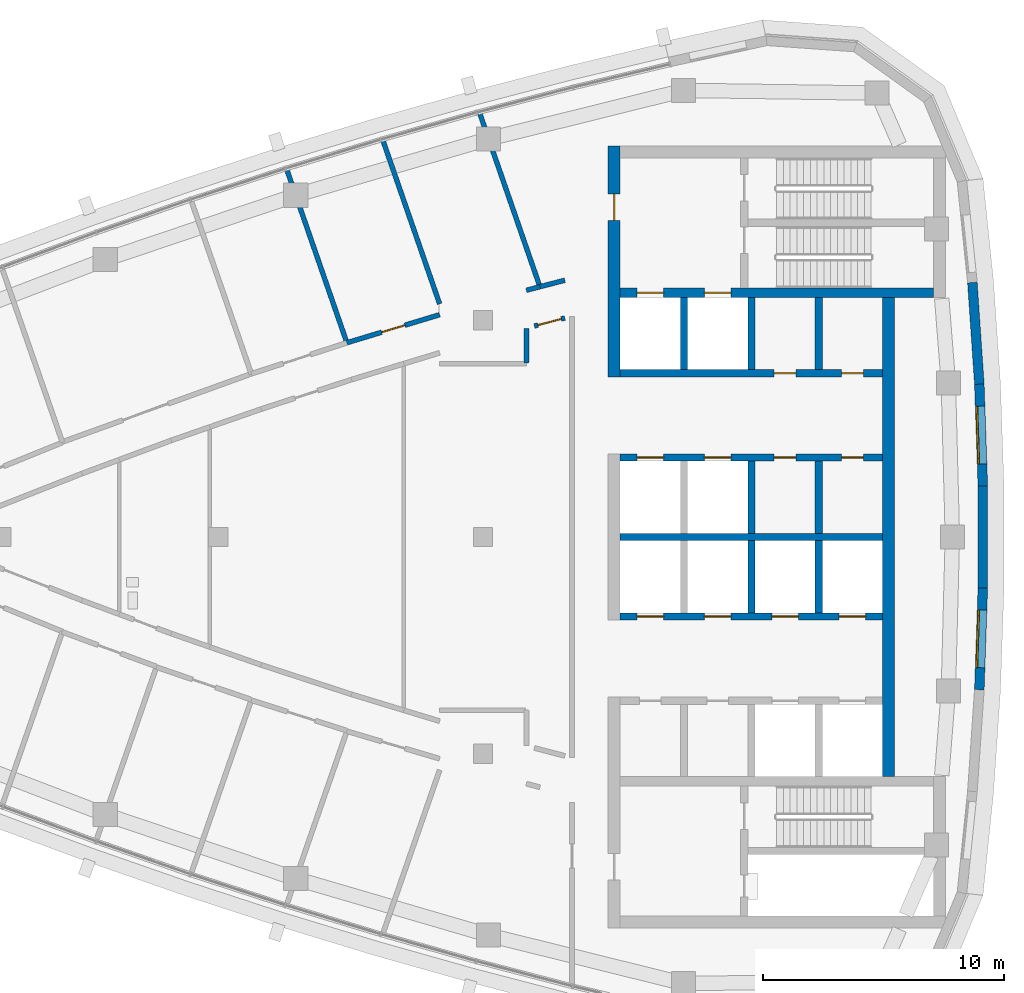
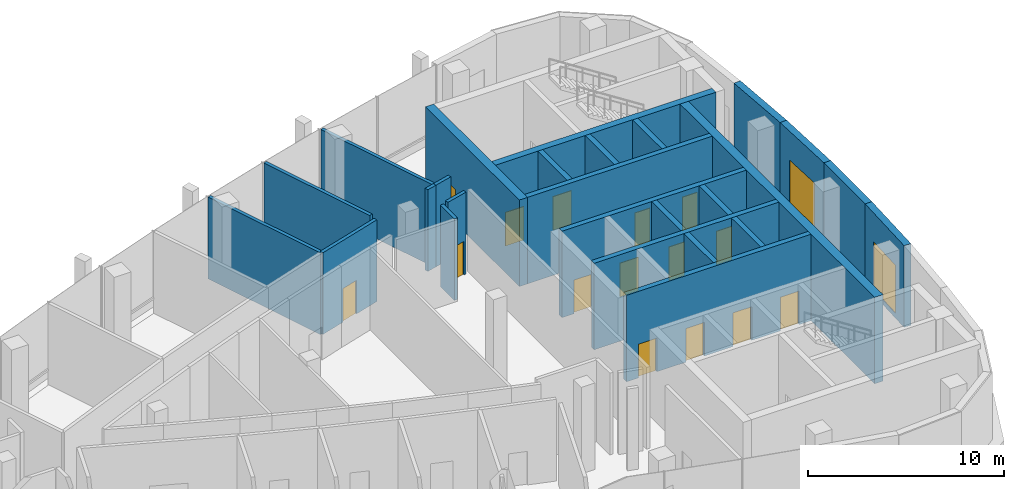
# One storey, part 9 of 15: 26 walls, 15 doors, 2 windows, 17 openings.
"""IFC4 building model written with IfcOpenShell, lengths in metres."""

from ifc_helpers import new_model, si_unit, direction, frame, frame_2d, origin, place, context, subcontext, project, spatial, polyline, rectangle, outline, extrude, material, layer, layer_set, type_object, element, fill, save


model = new_model("IFC4")

# Units and contexts
model_context = context("Model", 3, precision=1e-05, world=origin(), true_north=direction((0.0, 1.0)))
body_context = subcontext(model_context, "Body", "Model", "MODEL_VIEW")
ifc_project = project(units=[si_unit("LENGTHUNIT", "METRE"), si_unit("AREAUNIT", "SQUARE_METRE"), si_unit("VOLUMEUNIT", "CUBIC_METRE"), si_unit("PLANEANGLEUNIT", "RADIAN"), si_unit("MASSUNIT", "GRAM", prefix="KILO")], contexts=[model_context])

# Site, building, storey
site_placement = place(None, origin())
site = spatial("IfcSite", under=ifc_project, at=site_placement, CompositionType="ELEMENT")
building_placement = place(site_placement, origin())
building = spatial("IfcBuilding", under=site, at=building_placement, Name="Ostrand Prow Hotel Tower", CompositionType="ELEMENT")
storey_placement = place(building_placement, frame((0.0, 0.0, 313.199951171875)))
storey = spatial("IfcBuildingStorey", under=building, at=storey_placement, Name="C2", CompositionType="ELEMENT", Elevation=313.199951171875)

# Wall
ifc_material_1 = material(Name="Concrete C40/50", Category="concrete")
ifc_layer_1 = layer(ifc_material_1, 0.300048828125)
ifc_layer_set_1 = layer_set([ifc_layer_1], Name="Concrete C40/50")
wall_type_1 = type_object("IfcWallType", Name="Core wall 300 C40/50", PredefinedType="SHEAR", material=ifc_layer_set_1)
wall_1_placement = place(storey_placement, frame((50.699951171875, 0.0, 0.0), z_axis=(0.0, 0.0, 1.0), x_axis=(1.0, 0.0, 0.0)))
element("IfcWall", 1, at=wall_1_placement, inside=storey, type_object=wall_type_1, Name="Core wall PW-C", PredefinedType="SHEAR", context=body_context, shape_type="SweptSolid", body=[
    extrude(rectangle(XDim=10.900146484375, YDim=0.300048828125, at=frame_2d((5.4501953125, 0.0))), origin(), (0.0, 0.0, 1.0), 5.400146484375),
])

# Wall, openings, doors
wall_2_placement = place(storey_placement, frame((50.699951171875, 3.300048828125, 0.0), z_axis=(0.0, 0.0, 1.0), x_axis=(1.0, 0.0, 0.0)))
wall_2 = element("IfcWall", 2, at=wall_2_placement, inside=storey, type_object=wall_type_1, Name="Core wall PW-L1-N", PredefinedType="SHEAR", context=body_context, shape_type="SweptSolid", body=[
    extrude(rectangle(XDim=10.900146484375, YDim=0.300048828125, at=frame_2d((5.4501953125, 0.0))), origin(), (0.0, 0.0, 1.0), 5.400146484375),
])
opening_1_placement = place(wall_2_placement, frame((0.699951171875, 0.0, 0.0)))
opening_1 = element("IfcOpeningElement", 3, at=opening_1_placement, cuts=wall_2, Name="Opening LD", PredefinedType="OPENING", context=body_context, shape_type="SweptSolid", body=[
    extrude(rectangle(XDim=1.10009765625, YDim=2.10009765625, at=frame_2d((0.550048828125, 1.050048828125))), frame((0.0, 0.159912109375, 0.0), z_axis=(0.0, -1.0, 0.0), x_axis=(1.0, 0.0, 0.0)), (0.0, 0.0, 1.0), 0.320068359375),
])
opening_2_placement = place(wall_2_placement, frame((3.5, 0.0, 0.0)))
opening_2 = element("IfcOpeningElement", 4, at=opening_2_placement, cuts=wall_2, Name="Opening LD", PredefinedType="OPENING", context=body_context, shape_type="SweptSolid", body=[
    extrude(rectangle(XDim=1.10009765625, YDim=2.10009765625, at=frame_2d((0.550048828125, 1.050048828125))), frame((0.0, 0.159912109375, 0.0), z_axis=(0.0, -1.0, 0.0), x_axis=(1.0, 0.0, 0.0)), (0.0, 0.0, 1.0), 0.320068359375),
])
opening_3_placement = place(wall_2_placement, frame((6.39990234375, 0.0, 0.0)))
opening_3 = element("IfcOpeningElement", 5, at=opening_3_placement, cuts=wall_2, Name="Opening FD2", PredefinedType="OPENING", context=body_context, shape_type="SweptSolid", body=[
    extrude(rectangle(XDim=0.89990234375, YDim=2.10009765625, at=frame_2d((0.449951171875, 1.050048828125))), frame((0.0, 0.159912109375, 0.0), z_axis=(0.0, -1.0, 0.0), x_axis=(1.0, 0.0, 0.0)), (0.0, 0.0, 1.0), 0.320068359375),
])
opening_4_placement = place(wall_2_placement, frame((9.199951171875, 0.0, 0.0)))
opening_4 = element("IfcOpeningElement", 6, at=opening_4_placement, cuts=wall_2, Name="Opening FD2", PredefinedType="OPENING", context=body_context, shape_type="SweptSolid", body=[
    extrude(rectangle(XDim=0.89990234375, YDim=2.10009765625, at=frame_2d((0.449951171875, 1.050048828125))), frame((0.0, 0.159912109375, 0.0), z_axis=(0.0, -1.0, 0.0), x_axis=(1.0, 0.0, 0.0)), (0.0, 0.0, 1.0), 0.320068359375),
])
ifc_material_2 = material(Name="Steel fire door", Category="steel")
door_type_1 = type_object("IfcDoorType", Name="Fire door 900 EI120", OperationType="SINGLE_SWING_LEFT", PredefinedType="DOOR", material=ifc_material_2)
door_1_placement = place(opening_3_placement, origin())
door_1 = element("IfcDoor", 7, at=door_1_placement, inside=storey, type_object=door_type_1, Name="DOOR", OperationType="SINGLE_SWING_LEFT", OverallHeight=2.10009765625, OverallWidth=0.89990234375, PredefinedType="DOOR", context=body_context, shape_type="SweptSolid", body=[
    extrude(rectangle(XDim=0.89990234375, YDim=2.10009765625, at=frame_2d((0.449951171875, 1.050048828125))), frame((0.0, 0.02490234375, 0.0), z_axis=(0.0, -1.0, 0.0), x_axis=(1.0, 0.0, 0.0)), (0.0, 0.0, 1.0), 0.050048828125),
])
fill(opening_3, door_1)
door_2_placement = place(opening_4_placement, origin())
door_2 = element("IfcDoor", 8, at=door_2_placement, inside=storey, type_object=door_type_1, Name="DOOR", OperationType="SINGLE_SWING_LEFT", OverallHeight=2.10009765625, OverallWidth=0.89990234375, PredefinedType="DOOR", context=body_context, shape_type="SweptSolid", body=[
    extrude(rectangle(XDim=0.89990234375, YDim=2.10009765625, at=frame_2d((0.449951171875, 1.050048828125))), frame((0.0, 0.02490234375, 0.0), z_axis=(0.0, -1.0, 0.0), x_axis=(1.0, 0.0, 0.0)), (0.0, 0.0, 1.0), 0.050048828125),
])
fill(opening_4, door_2)
ifc_material_3 = material(Name="Stainless steel door", Category="steel")
door_type_2 = type_object("IfcDoorType", Name="Lift landing door 1100", OperationType="DOUBLE_DOOR_SLIDING", PredefinedType="DOOR", material=ifc_material_3)
door_3_placement = place(opening_1_placement, origin())
door_3 = element("IfcDoor", 9, at=door_3_placement, inside=storey, type_object=door_type_2, Name="LIFT LANDING DOOR", OperationType="DOUBLE_DOOR_SLIDING", OverallHeight=2.10009765625, OverallWidth=1.10009765625, PredefinedType="DOOR", context=body_context, shape_type="SweptSolid", body=[
    extrude(rectangle(XDim=1.10009765625, YDim=2.10009765625, at=frame_2d((0.550048828125, 1.050048828125))), frame((0.0, 0.02490234375, 0.0), z_axis=(0.0, -1.0, 0.0), x_axis=(1.0, 0.0, 0.0)), (0.0, 0.0, 1.0), 0.050048828125),
])
fill(opening_1, door_3)
door_4_placement = place(opening_2_placement, origin())
door_4 = element("IfcDoor", 10, at=door_4_placement, inside=storey, type_object=door_type_2, Name="LIFT LANDING DOOR", OperationType="DOUBLE_DOOR_SLIDING", OverallHeight=2.10009765625, OverallWidth=1.10009765625, PredefinedType="DOOR", context=body_context, shape_type="SweptSolid", body=[
    extrude(rectangle(XDim=1.10009765625, YDim=2.10009765625, at=frame_2d((0.550048828125, 1.050048828125))), frame((0.0, 0.02490234375, 0.0), z_axis=(0.0, -1.0, 0.0), x_axis=(1.0, 0.0, 0.0)), (0.0, 0.0, 1.0), 0.050048828125),
])
fill(opening_2, door_4)

wall_3_placement = place(storey_placement, frame((50.699951171875, 6.800048828125, 0.0), z_axis=(0.0, 0.0, 1.0), x_axis=(1.0, 0.0, 0.0)))
wall_3 = element("IfcWall", 11, at=wall_3_placement, inside=storey, type_object=wall_type_1, Name="Core wall PW-L2-N", PredefinedType="SHEAR", context=body_context, shape_type="SweptSolid", body=[
    extrude(rectangle(XDim=10.900146484375, YDim=0.300048828125, at=frame_2d((5.4501953125, 0.0))), origin(), (0.0, 0.0, 1.0), 5.400146484375),
])
opening_5_placement = place(wall_3_placement, frame((6.39990234375, 0.0, 0.0)))
opening_5 = element("IfcOpeningElement", 12, at=opening_5_placement, cuts=wall_3, Name="Opening FD2", PredefinedType="OPENING", context=body_context, shape_type="SweptSolid", body=[
    extrude(rectangle(XDim=0.89990234375, YDim=2.10009765625, at=frame_2d((0.449951171875, 1.050048828125))), frame((0.0, 0.159912109375, 0.0), z_axis=(0.0, -1.0, 0.0), x_axis=(1.0, 0.0, 0.0)), (0.0, 0.0, 1.0), 0.320068359375),
])
opening_6_placement = place(wall_3_placement, frame((9.199951171875, 0.0, 0.0)))
opening_6 = element("IfcOpeningElement", 13, at=opening_6_placement, cuts=wall_3, Name="Opening FD2", PredefinedType="OPENING", context=body_context, shape_type="SweptSolid", body=[
    extrude(rectangle(XDim=0.89990234375, YDim=2.10009765625, at=frame_2d((0.449951171875, 1.050048828125))), frame((0.0, 0.159912109375, 0.0), z_axis=(0.0, -1.0, 0.0), x_axis=(1.0, 0.0, 0.0)), (0.0, 0.0, 1.0), 0.320068359375),
])
door_5_placement = place(opening_5_placement, origin())
door_5 = element("IfcDoor", 14, at=door_5_placement, inside=storey, type_object=door_type_1, Name="DOOR", OperationType="SINGLE_SWING_LEFT", OverallHeight=2.10009765625, OverallWidth=0.89990234375, PredefinedType="DOOR", context=body_context, shape_type="SweptSolid", body=[
    extrude(rectangle(XDim=0.89990234375, YDim=2.10009765625, at=frame_2d((0.449951171875, 1.050048828125))), frame((0.0, 0.02490234375, 0.0), z_axis=(0.0, -1.0, 0.0), x_axis=(1.0, 0.0, 0.0)), (0.0, 0.0, 1.0), 0.050048828125),
])
fill(opening_5, door_5)
door_6_placement = place(opening_6_placement, origin())
door_6 = element("IfcDoor", 15, at=door_6_placement, inside=storey, type_object=door_type_1, Name="DOOR", OperationType="SINGLE_SWING_LEFT", OverallHeight=2.10009765625, OverallWidth=0.89990234375, PredefinedType="DOOR", context=body_context, shape_type="SweptSolid", body=[
    extrude(rectangle(XDim=0.89990234375, YDim=2.10009765625, at=frame_2d((0.449951171875, 1.050048828125))), frame((0.0, 0.02490234375, 0.0), z_axis=(0.0, -1.0, 0.0), x_axis=(1.0, 0.0, 0.0)), (0.0, 0.0, 1.0), 0.050048828125),
])
fill(opening_6, door_6)

# Walls
for number, where, z_axis, x_axis, name in (
    (16, (53.35009765625, 6.949951171875, 0.0), (0.0, 0.0, 1.0), (0.0, 1.0, 0.0), "Core wall PW-R1-NA"),
    (17, (56.14990234375, 0.14990234375, 0.0), (0.0, 0.0, 1.0), (0.0, 1.0, 0.0), "Core wall PW-R2-NB"),
    (18, (56.14990234375, 6.949951171875, 0.0), (0.0, 0.0, 1.0), (0.0, 1.0, 0.0), "Core wall PW-R2-NA"),
    (19, (58.949951171875, 0.14990234375, 0.0), (0.0, 0.0, 1.0), (0.0, 1.0, 0.0), "Core wall PW-R3-NB"),
    (20, (58.949951171875, 6.949951171875, 0.0), (0.0, 0.0, 1.0), (0.0, 1.0, 0.0), "Core wall PW-R3-NA"),
):
    element("IfcWall", number, at=place(storey_placement, frame(where, z_axis=z_axis, x_axis=x_axis)), inside=storey, type_object=wall_type_1, Name=name, PredefinedType="SHEAR", context=body_context, shape_type="SweptSolid", body=[
        extrude(rectangle(XDim=3.0, YDim=0.300048828125, at=frame_2d((1.5, 0.0))), origin(), (0.0, 0.0, 1.0), 5.400146484375),
    ])

# Wall, openings, doors
wall_4_placement = place(storey_placement, frame((50.699951171875, -3.300048828125, 0.0), z_axis=(0.0, 0.0, 1.0), x_axis=(1.0, 0.0, 0.0)))
wall_4 = element("IfcWall", 21, at=wall_4_placement, inside=storey, type_object=wall_type_1, Name="Core wall PW-L1-S", PredefinedType="SHEAR", context=body_context, shape_type="SweptSolid", body=[
    extrude(rectangle(XDim=10.900146484375, YDim=0.300048828125, at=frame_2d((5.4501953125, 0.0))), origin(), (0.0, 0.0, 1.0), 5.400146484375),
])
opening_7_placement = place(wall_4_placement, frame((0.699951171875, 0.0, 0.0)))
opening_7 = element("IfcOpeningElement", 22, at=opening_7_placement, cuts=wall_4, Name="Opening LD", PredefinedType="OPENING", context=body_context, shape_type="SweptSolid", body=[
    extrude(rectangle(XDim=1.10009765625, YDim=2.10009765625, at=frame_2d((0.550048828125, 1.050048828125))), frame((0.0, 0.159912109375, 0.0), z_axis=(0.0, -1.0, 0.0), x_axis=(1.0, 0.0, 0.0)), (0.0, 0.0, 1.0), 0.320068359375),
])
opening_8_placement = place(wall_4_placement, frame((3.5, 0.0, 0.0)))
opening_8 = element("IfcOpeningElement", 23, at=opening_8_placement, cuts=wall_4, Name="Opening LD", PredefinedType="OPENING", context=body_context, shape_type="SweptSolid", body=[
    extrude(rectangle(XDim=1.10009765625, YDim=2.10009765625, at=frame_2d((0.550048828125, 1.050048828125))), frame((0.0, 0.159912109375, 0.0), z_axis=(0.0, -1.0, 0.0), x_axis=(1.0, 0.0, 0.0)), (0.0, 0.0, 1.0), 0.320068359375),
])
opening_9_placement = place(wall_4_placement, frame((6.300048828125, 0.0, 0.0)))
opening_9 = element("IfcOpeningElement", 24, at=opening_9_placement, cuts=wall_4, Name="Opening LD", PredefinedType="OPENING", context=body_context, shape_type="SweptSolid", body=[
    extrude(rectangle(XDim=1.10009765625, YDim=2.10009765625, at=frame_2d((0.550048828125, 1.050048828125))), frame((0.0, 0.159912109375, 0.0), z_axis=(0.0, -1.0, 0.0), x_axis=(1.0, 0.0, 0.0)), (0.0, 0.0, 1.0), 0.320068359375),
])
opening_10_placement = place(wall_4_placement, frame((9.10009765625, 0.0, 0.0)))
opening_10 = element("IfcOpeningElement", 25, at=opening_10_placement, cuts=wall_4, Name="Opening LD", PredefinedType="OPENING", context=body_context, shape_type="SweptSolid", body=[
    extrude(rectangle(XDim=1.10009765625, YDim=2.10009765625, at=frame_2d((0.550048828125, 1.050048828125))), frame((0.0, 0.159912109375, 0.0), z_axis=(0.0, -1.0, 0.0), x_axis=(1.0, 0.0, 0.0)), (0.0, 0.0, 1.0), 0.320068359375),
])
door_7_placement = place(opening_7_placement, origin())
door_7 = element("IfcDoor", 26, at=door_7_placement, inside=storey, type_object=door_type_2, Name="LIFT LANDING DOOR", OperationType="DOUBLE_DOOR_SLIDING", OverallHeight=2.10009765625, OverallWidth=1.10009765625, PredefinedType="DOOR", context=body_context, shape_type="SweptSolid", body=[
    extrude(rectangle(XDim=1.10009765625, YDim=2.10009765625, at=frame_2d((0.550048828125, 1.050048828125))), frame((0.0, 0.02490234375, 0.0), z_axis=(0.0, -1.0, 0.0), x_axis=(1.0, 0.0, 0.0)), (0.0, 0.0, 1.0), 0.050048828125),
])
fill(opening_7, door_7)
door_8_placement = place(opening_8_placement, origin())
door_8 = element("IfcDoor", 27, at=door_8_placement, inside=storey, type_object=door_type_2, Name="LIFT LANDING DOOR", OperationType="DOUBLE_DOOR_SLIDING", OverallHeight=2.10009765625, OverallWidth=1.10009765625, PredefinedType="DOOR", context=body_context, shape_type="SweptSolid", body=[
    extrude(rectangle(XDim=1.10009765625, YDim=2.10009765625, at=frame_2d((0.550048828125, 1.050048828125))), frame((0.0, 0.02490234375, 0.0), z_axis=(0.0, -1.0, 0.0), x_axis=(1.0, 0.0, 0.0)), (0.0, 0.0, 1.0), 0.050048828125),
])
fill(opening_8, door_8)
door_9_placement = place(opening_9_placement, origin())
door_9 = element("IfcDoor", 28, at=door_9_placement, inside=storey, type_object=door_type_2, Name="LIFT LANDING DOOR", OperationType="DOUBLE_DOOR_SLIDING", OverallHeight=2.10009765625, OverallWidth=1.10009765625, PredefinedType="DOOR", context=body_context, shape_type="SweptSolid", body=[
    extrude(rectangle(XDim=1.10009765625, YDim=2.10009765625, at=frame_2d((0.550048828125, 1.050048828125))), frame((0.0, 0.02490234375, 0.0), z_axis=(0.0, -1.0, 0.0), x_axis=(1.0, 0.0, 0.0)), (0.0, 0.0, 1.0), 0.050048828125),
])
fill(opening_9, door_9)
door_10_placement = place(opening_10_placement, origin())
door_10 = element("IfcDoor", 29, at=door_10_placement, inside=storey, type_object=door_type_2, Name="LIFT LANDING DOOR", OperationType="DOUBLE_DOOR_SLIDING", OverallHeight=2.10009765625, OverallWidth=1.10009765625, PredefinedType="DOOR", context=body_context, shape_type="SweptSolid", body=[
    extrude(rectangle(XDim=1.10009765625, YDim=2.10009765625, at=frame_2d((0.550048828125, 1.050048828125))), frame((0.0, 0.02490234375, 0.0), z_axis=(0.0, -1.0, 0.0), x_axis=(1.0, 0.0, 0.0)), (0.0, 0.0, 1.0), 0.050048828125),
])
fill(opening_10, door_10)

# Walls
for number, where, z_axis, x_axis, name in (
    (30, (56.14990234375, -3.14990234375, 0.0), (0.0, 0.0, 1.0), (0.0, 1.0, 0.0), "Core wall PW-R2-SB"),
    (31, (58.949951171875, -3.14990234375, 0.0), (0.0, 0.0, 1.0), (0.0, 1.0, 0.0), "Core wall PW-R3-SB"),
):
    element("IfcWall", number, at=place(storey_placement, frame(where, z_axis=z_axis, x_axis=x_axis)), inside=storey, type_object=wall_type_1, Name=name, PredefinedType="SHEAR", context=body_context, shape_type="SweptSolid", body=[
        extrude(rectangle(XDim=3.0, YDim=0.300048828125, at=frame_2d((1.5, 0.0))), origin(), (0.0, 0.0, 1.0), 5.400146484375),
    ])

# Wall, openings, doors
ifc_material_4 = material(Name="Concrete C40/50", Category="concrete")
ifc_layer_2 = layer(ifc_material_4, 0.39990234375)
ifc_layer_set_2 = layer_set([ifc_layer_2], Name="Concrete C40/50")
wall_type_2 = type_object("IfcWallType", Name="Core wall 400 C40/50", PredefinedType="SHEAR", material=ifc_layer_set_2)
wall_5_placement = place(storey_placement, frame((50.699951171875, 10.14990234375, 0.0), z_axis=(0.0, 0.0, 1.0), x_axis=(1.0, 0.0, 0.0)))
wall_5 = element("IfcWall", 32, at=wall_5_placement, inside=storey, type_object=wall_type_2, Name="Core wall PW-BN", PredefinedType="SHEAR", context=body_context, shape_type="SweptSolid", body=[
    extrude(rectangle(XDim=13.02001953125, YDim=0.39990234375, at=frame_2d((6.510009765625, 0.0))), origin(), (0.0, 0.0, 1.0), 5.400146484375),
])
opening_11_placement = place(wall_5_placement, frame((0.699951171875, 0.0, 0.0)))
opening_11 = element("IfcOpeningElement", 33, at=opening_11_placement, cuts=wall_5, Name="Opening LD", PredefinedType="OPENING", context=body_context, shape_type="SweptSolid", body=[
    extrude(rectangle(XDim=1.10009765625, YDim=2.10009765625, at=frame_2d((0.550048828125, 1.050048828125))), frame((0.0, 0.2099609375, 0.0), z_axis=(0.0, -1.0, 0.0), x_axis=(1.0, 0.0, 0.0)), (0.0, 0.0, 1.0), 0.419921875),
])
opening_12_placement = place(wall_5_placement, frame((3.5, 0.0, 0.0)))
opening_12 = element("IfcOpeningElement", 34, at=opening_12_placement, cuts=wall_5, Name="Opening LD", PredefinedType="OPENING", context=body_context, shape_type="SweptSolid", body=[
    extrude(rectangle(XDim=1.10009765625, YDim=2.10009765625, at=frame_2d((0.550048828125, 1.050048828125))), frame((0.0, 0.2099609375, 0.0), z_axis=(0.0, -1.0, 0.0), x_axis=(1.0, 0.0, 0.0)), (0.0, 0.0, 1.0), 0.419921875),
])
door_11_placement = place(opening_11_placement, origin())
door_11 = element("IfcDoor", 35, at=door_11_placement, inside=storey, type_object=door_type_2, Name="LIFT LANDING DOOR", OperationType="DOUBLE_DOOR_SLIDING", OverallHeight=2.10009765625, OverallWidth=1.10009765625, PredefinedType="DOOR", context=body_context, shape_type="SweptSolid", body=[
    extrude(rectangle(XDim=1.10009765625, YDim=2.10009765625, at=frame_2d((0.550048828125, 1.050048828125))), frame((0.0, 0.02490234375, 0.0), z_axis=(0.0, -1.0, 0.0), x_axis=(1.0, 0.0, 0.0)), (0.0, 0.0, 1.0), 0.050048828125),
])
fill(opening_11, door_11)
door_12_placement = place(opening_12_placement, origin())
door_12 = element("IfcDoor", 36, at=door_12_placement, inside=storey, type_object=door_type_2, Name="LIFT LANDING DOOR", OperationType="DOUBLE_DOOR_SLIDING", OverallHeight=2.10009765625, OverallWidth=1.10009765625, PredefinedType="DOOR", context=body_context, shape_type="SweptSolid", body=[
    extrude(rectangle(XDim=1.10009765625, YDim=2.10009765625, at=frame_2d((0.550048828125, 1.050048828125))), frame((0.0, 0.02490234375, 0.0), z_axis=(0.0, -1.0, 0.0), x_axis=(1.0, 0.0, 0.0)), (0.0, 0.0, 1.0), 0.050048828125),
])
fill(opening_12, door_12)

# Wall, opening, door
ifc_material_5 = material(Name="Concrete C40/50", Category="concrete")
ifc_layer_3 = layer(ifc_material_5, 0.5)
ifc_layer_set_3 = layer_set([ifc_layer_3], Name="Concrete C40/50")
wall_type_3 = type_object("IfcWallType", Name="Core wall 500 C40/50", PredefinedType="SHEAR", material=ifc_layer_set_3)
wall_6_placement = place(storey_placement, frame((50.449951171875, 6.64990234375, 0.0), z_axis=(0.0, 0.0, 1.0), x_axis=(0.0, 1.0, 0.0)))
wall_6 = element("IfcWall", 37, at=wall_6_placement, inside=storey, type_object=wall_type_3, Name="Core wall CW-W-N", PredefinedType="SHEAR", context=body_context, shape_type="SweptSolid", body=[
    extrude(rectangle(XDim=9.60009765625, YDim=0.5, at=frame_2d((4.800048828125, 0.0))), origin(), (0.0, 0.0, 1.0), 5.400146484375),
])
opening_13_placement = place(wall_6_placement, frame((6.5, 0.0, 0.0)))
opening_13 = element("IfcOpeningElement", 38, at=opening_13_placement, cuts=wall_6, Name="Opening FD1", PredefinedType="OPENING", context=body_context, shape_type="SweptSolid", body=[
    extrude(rectangle(XDim=1.10009765625, YDim=2.10009765625, at=frame_2d((0.550048828125, 1.050048828125))), frame((0.0, 0.260009765625, 0.0), z_axis=(0.0, -1.0, 0.0), x_axis=(1.0, 0.0, 0.0)), (0.0, 0.0, 1.0), 0.52001953125),
])
ifc_material_6 = material(Name="Steel fire door", Category="steel")
door_type_3 = type_object("IfcDoorType", Name="Fire door 1100 EI120", OperationType="SINGLE_SWING_RIGHT", PredefinedType="DOOR", material=ifc_material_6)
door_13_placement = place(opening_13_placement, origin())
door_13 = element("IfcDoor", 39, at=door_13_placement, inside=storey, type_object=door_type_3, Name="FIRE DOOR", OperationType="SINGLE_SWING_RIGHT", OverallHeight=2.10009765625, OverallWidth=1.10009765625, PredefinedType="DOOR", context=body_context, shape_type="SweptSolid", body=[
    extrude(rectangle(XDim=1.10009765625, YDim=2.10009765625, at=frame_2d((0.550048828125, 1.050048828125))), frame((0.0, 0.02490234375, 0.0), z_axis=(0.0, -1.0, 0.0), x_axis=(1.0, 0.0, 0.0)), (0.0, 0.0, 1.0), 0.050048828125),
])
fill(opening_13, door_13)

# Wall
wall_7_placement = place(storey_placement, frame((61.85009765625, -9.949951171875, 0.0), z_axis=(0.0, 0.0, 1.0), x_axis=(0.0, 1.0, 0.0)))
element("IfcWall", 40, at=wall_7_placement, inside=storey, type_object=wall_type_3, Name="Core wall CW-E-C", PredefinedType="SHEAR", context=body_context, shape_type="SweptSolid", body=[
    extrude(rectangle(XDim=19.89990234375, YDim=0.5, at=frame_2d((9.949951171875, 0.0))), origin(), (0.0, 0.0, 1.0), 5.400146484375),
])

# Wall, opening, door
ifc_material_7 = material(Name="Plasterboard partition")
ifc_layer_4 = layer(ifc_material_7, 0.199951171875)
ifc_layer_set_4 = layer_set([ifc_layer_4], Name="Plasterboard partition")
wall_type_4 = type_object("IfcWallType", Name="Partition 200 corridor wall", PredefinedType="PARTITIONING", material=ifc_layer_set_4)
wall_8_placement = place(storey_placement, frame((43.199951171875, 9.2333984375, 0.0), z_axis=(0.0, 0.0, 1.0), x_axis=(-0.957187982889, -0.289467036833, 0.0)))
wall_8 = element("IfcWall", 41, at=wall_8_placement, inside=storey, type_object=wall_type_4, Name="CORRIDOR WALL", PredefinedType="PARTITIONING", context=body_context, shape_type="SweptSolid", body=[
    extrude(rectangle(XDim=4.025634765625, YDim=0.199951171875, at=frame_2d((2.0126953125, 0.0))), origin(), (0.0, 0.0, 1.0), 5.10009765625),
])
opening_14_placement = place(wall_8_placement, frame((1.5126953125, 0.0, 0.0)))
opening_14 = element("IfcOpeningElement", 42, at=opening_14_placement, cuts=wall_8, Name="Opening D1", PredefinedType="OPENING", context=body_context, shape_type="SweptSolid", body=[
    extrude(rectangle(XDim=1.0, YDim=2.10009765625, at=frame_2d((0.5, 1.050048828125))), frame((0.0, 0.10986328125, 0.0), z_axis=(0.0, -1.0, 0.0), x_axis=(1.0, 0.0, 0.0)), (0.0, 0.0, 1.0), 0.219970703125),
])
ifc_material_8 = material(Name="Timber door leaf", Category="wood")
door_type_4 = type_object("IfcDoorType", Name="Guest room door 1000", OperationType="SINGLE_SWING_LEFT", PredefinedType="DOOR", material=ifc_material_8)
door_14_placement = place(opening_14_placement, origin())
door_14 = element("IfcDoor", 43, at=door_14_placement, inside=storey, type_object=door_type_4, Name="DOOR", OperationType="SINGLE_SWING_LEFT", OverallHeight=2.10009765625, OverallWidth=1.0, PredefinedType="DOOR", context=body_context, shape_type="SweptSolid", body=[
    extrude(rectangle(XDim=1.0, YDim=2.10009765625, at=frame_2d((0.5, 1.050048828125))), frame((0.0, 0.02490234375, 0.0), z_axis=(0.0, -1.0, 0.0), x_axis=(1.0, 0.0, 0.0)), (0.0, 0.0, 1.0), 0.050048828125),
])
fill(opening_14, door_14)

# Walls
wall_9_placement = place(storey_placement, frame((47.365478515625, 10.3955078125, 0.0), z_axis=(0.0, 0.0, 1.0), x_axis=(-0.967635017449, -0.252353864654, 0.0)))
element("IfcWall", 44, at=wall_9_placement, inside=storey, type_object=wall_type_4, Name="CORRIDOR WALL", PredefinedType="PARTITIONING", context=body_context, shape_type="SweptSolid", body=[
    extrude(rectangle(XDim=0.584228515625, YDim=0.199951171875, at=frame_2d((0.2919921875, 0.0))), origin(), (0.0, 0.0, 1.0), 5.10009765625),
])
wall_10_placement = place(storey_placement, frame((48.39990234375, 10.6650390625, 0.0), z_axis=(0.0, 0.0, 1.0), x_axis=(-0.967689993731, -0.252142967448, 0.0)))
element("IfcWall", 45, at=wall_10_placement, inside=storey, type_object=wall_type_4, Name="CORRIDOR WALL", PredefinedType="PARTITIONING", context=body_context, shape_type="SweptSolid", body=[
    extrude(rectangle(XDim=1.06884765625, YDim=0.199951171875, at=frame_2d((0.534423828125, 0.0))), origin(), (0.0, 0.0, 1.0), 5.10009765625),
])

# Wall, opening, door
wall_11_placement = place(storey_placement, frame((47.13427734375, 8.764404296875, 0.0), z_axis=(0.0, 0.0, 1.0), x_axis=(0.967678694968, 0.252186326563, 0.0)))
wall_11 = element("IfcWall", 46, at=wall_11_placement, inside=storey, type_object=wall_type_4, Name="CORRIDOR WALL", PredefinedType="PARTITIONING", context=body_context, shape_type="SweptSolid", body=[
    extrude(rectangle(XDim=1.307861328125, YDim=0.199951171875, at=frame_2d((0.65380859375, 0.0))), origin(), (0.0, 0.0, 1.0), 5.10009765625),
])
opening_15_placement = place(wall_11_placement, frame((0.154052734375, 0.0, 0.0)))
opening_15 = element("IfcOpeningElement", 47, at=opening_15_placement, cuts=wall_11, Name="Opening D1", PredefinedType="OPENING", context=body_context, shape_type="SweptSolid", body=[
    extrude(rectangle(XDim=1.0, YDim=2.10009765625, at=frame_2d((0.5, 1.050048828125))), frame((0.0, 0.10986328125, 0.0), z_axis=(0.0, -1.0, 0.0), x_axis=(1.0, 0.0, 0.0)), (0.0, 0.0, 1.0), 0.219970703125),
])
door_15_placement = place(opening_15_placement, origin())
door_15 = element("IfcDoor", 48, at=door_15_placement, inside=storey, type_object=door_type_4, Name="DOOR", OperationType="SINGLE_SWING_LEFT", OverallHeight=2.10009765625, OverallWidth=1.0, PredefinedType="DOOR", context=body_context, shape_type="SweptSolid", body=[
    extrude(rectangle(XDim=1.0, YDim=2.10009765625, at=frame_2d((0.5, 1.050048828125))), frame((0.0, 0.02490234375, 0.0), z_axis=(0.0, -1.0, 0.0), x_axis=(1.0, 0.0, 0.0)), (0.0, 0.0, 1.0), 0.050048828125),
])
fill(opening_15, door_15)

# Walls
wall_12_placement = place(storey_placement, frame((46.801513671875, 7.235107421875, 0.0), z_axis=(0.0, 0.0, 1.0), x_axis=(0.00238825658, 0.999997148111, 0.0)))
element("IfcWall", 49, at=wall_12_placement, inside=storey, type_object=wall_type_4, Name="CORRIDOR WALL", PredefinedType="PARTITIONING", context=body_context, shape_type="SweptSolid", body=[
    extrude(rectangle(XDim=1.43115234375, YDim=0.199951171875, at=frame_2d((0.715576171875, 0.0))), origin(), (0.0, 0.0, 1.0), 5.10009765625),
])
ifc_material_9 = material(Name="Plasterboard partition")
ifc_layer_5 = layer(ifc_material_9, 0.199951171875)
ifc_layer_set_5 = layer_set([ifc_layer_5], Name="Plasterboard partition")
wall_type_5 = type_object("IfcWallType", Name="Partition 200 key partition", PredefinedType="PARTITIONING", material=ifc_layer_set_5)
wall_13_placement = place(storey_placement, frame((39.353515625, 8.04931640625, 0.0), z_axis=(0.0, 0.0, 1.0), x_axis=(-0.327741126954, 0.944767565967, 0.0)))
element("IfcWall", 50, at=wall_13_placement, inside=storey, type_object=wall_type_5, Name="KEY PARTITION", PredefinedType="PARTITIONING", context=body_context, shape_type="SweptSolid", body=[
    extrude(rectangle(XDim=7.605712890625, YDim=0.199951171875, at=frame_2d((3.802734375, 0.0))), origin(), (0.0, 0.0, 1.0), 5.10009765625),
])
wall_14_placement = place(storey_placement, frame((43.199951171875, 9.68212890625, 0.0), z_axis=(0.0, 0.0, 1.0), x_axis=(-0.327701896972, 0.944781173987, 0.0)))
element("IfcWall", 51, at=wall_14_placement, inside=storey, type_object=wall_type_5, Name="KEY PARTITION", PredefinedType="PARTITIONING", context=body_context, shape_type="SweptSolid", body=[
    extrude(rectangle(XDim=7.16015625, YDim=0.199951171875, at=frame_2d((3.580078125, 0.0))), origin(), (0.0, 0.0, 1.0), 5.10009765625),
])
wall_15_placement = place(storey_placement, frame((47.372314453125, 10.37646484375, 0.0), z_axis=(0.0, 0.0, 1.0), x_axis=(-0.327733034973, 0.944770373047, 0.0)))
element("IfcWall", 52, at=wall_15_placement, inside=storey, type_object=wall_type_5, Name="KEY PARTITION", PredefinedType="PARTITIONING", context=body_context, shape_type="SweptSolid", body=[
    extrude(rectangle(XDim=7.623779296875, YDim=0.199951171875, at=frame_2d((3.81201171875, 0.0))), origin(), (0.0, 0.0, 1.0), 5.10009765625),
])

# Wall, opening, window
ifc_material_10 = material(Name="Precast concrete C40/50", Category="concrete")
ifc_layer_6 = layer(ifc_material_10, 0.39990234375)
ifc_layer_set_6 = layer_set([ifc_layer_6], Name="Precast concrete C40/50")
wall_type_6 = type_object("IfcWallType", Name="Stone-faced precast wall 400 mm", PredefinedType="NOTDEFINED", material=ifc_layer_set_6)
wall_16_placement = place(storey_placement, frame((65.6201171875, -6.34765625, 0.0), z_axis=(0.0, 0.0, 1.0), x_axis=(0.034082898699, 0.999419009233, 0.0)))
wall_16 = element("IfcWall", 53, at=wall_16_placement, inside=storey, type_object=wall_type_6, Name="Stone-faced wall back 7", PredefinedType="NOTDEFINED", context=body_context, shape_type="SweptSolid", body=[
    extrude(outline(polyline([(-0.00341796875, -0.199951171875), (4.23681640625, -0.199951171875), (4.22998046875, 0.199951171875), (0.00341796875, 0.199951171875), (-0.00341796875, -0.199951171875)])), origin(), (0.0, 0.0, 1.0), 5.10009765625),
])
opening_16_placement = place(wall_16_placement, frame((0.916748046875, 0.0, 0.300048828125)))
opening_16 = element("IfcOpeningElement", 54, at=opening_16_placement, cuts=wall_16, Name="Opening WR1", PredefinedType="OPENING", context=body_context, shape_type="SweptSolid", body=[
    extrude(rectangle(XDim=2.39990234375, YDim=3.0, at=frame_2d((1.199951171875, 1.5))), frame((0.0, 0.2099609375, 0.0), z_axis=(0.0, -1.0, 0.0), x_axis=(1.0, 0.0, 0.0)), (0.0, 0.0, 1.0), 0.419921875),
])
ifc_material_11 = material(Name="Insulated glass in bronze frame", Category="glass")
window_type = type_object("IfcWindowType", Name="Restaurant window 2400x3000", PartitioningType="SINGLE_PANEL", PredefinedType="WINDOW", material=ifc_material_11)
window_1_placement = place(opening_16_placement, origin())
window_1 = element("IfcWindow", 55, at=window_1_placement, inside=storey, type_object=window_type, Name="Window back 7.1", OverallHeight=3.0, OverallWidth=2.39990234375, PartitioningType="SINGLE_PANEL", PredefinedType="WINDOW", context=body_context, shape_type="SweptSolid", body=[
    extrude(rectangle(XDim=2.39990234375, YDim=3.0, at=frame_2d((1.199951171875, 1.5))), frame((0.0, 0.169921875, 0.0), z_axis=(0.0, -1.0, 0.0), x_axis=(1.0, 0.0, 0.0)), (0.0, 0.0, 1.0), 0.06005859375),
])
fill(opening_16, window_1)

# Wall
wall_17_placement = place(storey_placement, frame((65.764404296875, -2.11669921875, 0.0), z_axis=(0.0, 0.0, 1.0), x_axis=(0.0, 1.0, 0.0)))
element("IfcWall", 56, at=wall_17_placement, inside=storey, type_object=wall_type_6, Name="Stone-faced wall back 8", PredefinedType="NOTDEFINED", context=body_context, shape_type="SweptSolid", body=[
    extrude(outline(polyline([(-0.00341796875, -0.199951171875), (4.23681640625, -0.199951171875), (4.22998046875, 0.199951171875), (0.00341796875, 0.199951171875), (-0.00341796875, -0.199951171875)])), origin(), (0.0, 0.0, 1.0), 5.10009765625),
])

# Wall, opening, window
wall_18_placement = place(storey_placement, frame((65.764404296875, 2.11669921875, 0.0), z_axis=(0.0, 0.0, 1.0), x_axis=(-0.034082898699, 0.999419009233, 0.0)))
wall_18 = element("IfcWall", 57, at=wall_18_placement, inside=storey, type_object=wall_type_6, Name="Stone-faced wall back 9", PredefinedType="NOTDEFINED", context=body_context, shape_type="SweptSolid", body=[
    extrude(outline(polyline([(-0.00341796875, -0.199951171875), (4.23681640625, -0.199951171875), (4.22998046875, 0.199951171875), (0.00341796875, 0.199951171875), (-0.00341796875, -0.199951171875)])), origin(), (0.0, 0.0, 1.0), 5.10009765625),
])
opening_17_placement = place(wall_18_placement, frame((0.916748046875, 0.0, 0.300048828125)))
opening_17 = element("IfcOpeningElement", 58, at=opening_17_placement, cuts=wall_18, Name="Opening WR1", PredefinedType="OPENING", context=body_context, shape_type="SweptSolid", body=[
    extrude(rectangle(XDim=2.39990234375, YDim=3.0, at=frame_2d((1.199951171875, 1.5))), frame((0.0, 0.2099609375, 0.0), z_axis=(0.0, -1.0, 0.0), x_axis=(1.0, 0.0, 0.0)), (0.0, 0.0, 1.0), 0.419921875),
])
window_2_placement = place(opening_17_placement, origin())
window_2 = element("IfcWindow", 59, at=window_2_placement, inside=storey, type_object=window_type, Name="Window back 9.1", OverallHeight=3.0, OverallWidth=2.39990234375, PartitioningType="SINGLE_PANEL", PredefinedType="WINDOW", context=body_context, shape_type="SweptSolid", body=[
    extrude(rectangle(XDim=2.39990234375, YDim=3.0, at=frame_2d((1.199951171875, 1.5))), frame((0.0, 0.169921875, 0.0), z_axis=(0.0, -1.0, 0.0), x_axis=(1.0, 0.0, 0.0)), (0.0, 0.0, 1.0), 0.06005859375),
])
fill(opening_17, window_2)

# Wall
wall_19_placement = place(storey_placement, frame((65.6201171875, 6.34765625, 0.0), z_axis=(0.0, 0.0, 1.0), x_axis=(-0.068279584479, 0.997666225921, 0.0)))
element("IfcWall", 60, at=wall_19_placement, inside=storey, type_object=wall_type_6, Name="Stone-faced wall back 10", PredefinedType="NOTDEFINED", context=body_context, shape_type="SweptSolid", body=[
    extrude(outline(polyline([(-0.00341796875, -0.199951171875), (4.23681640625, -0.199951171875), (4.22998046875, 0.199951171875), (0.00341796875, 0.199951171875), (-0.00341796875, -0.199951171875)])), origin(), (0.0, 0.0, 1.0), 5.10009765625),
])

save(model, "model.ifc")
